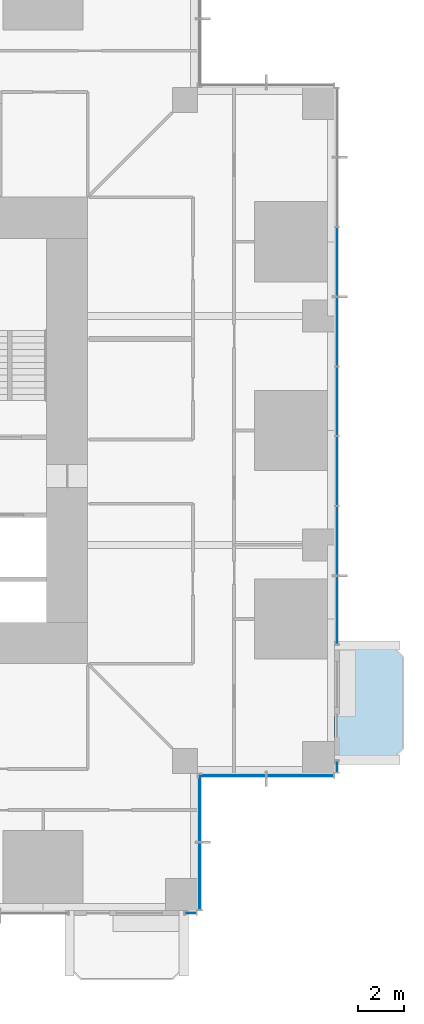
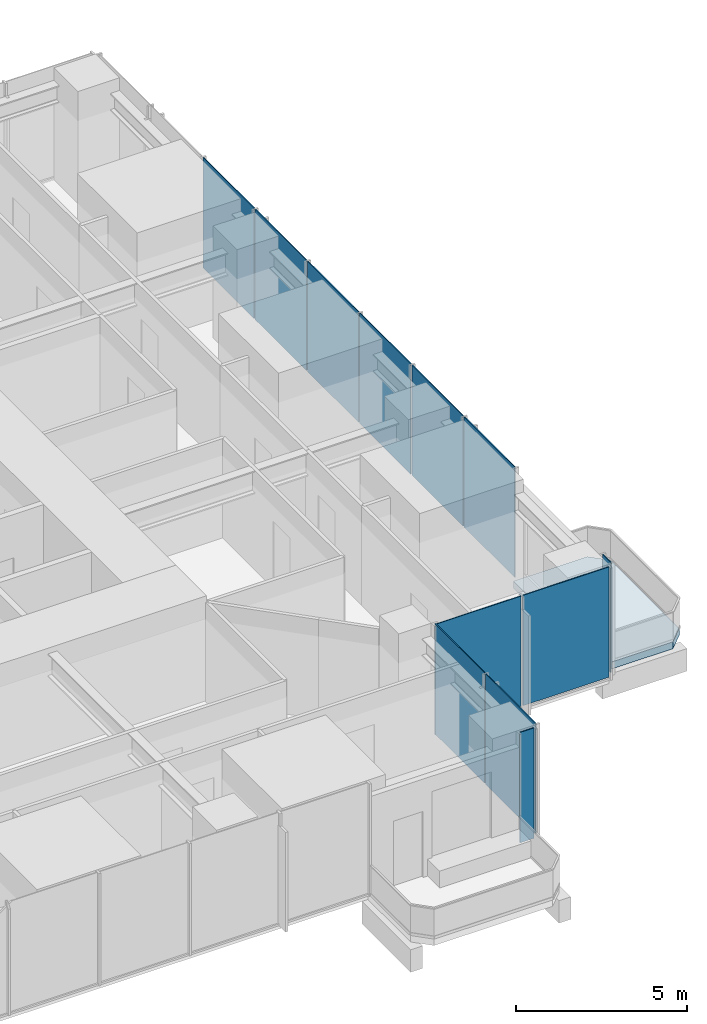
# One storey, part 8 of 17: 12 plates, 1 slab, 5 elements without a shape of their own.
"""IFC4 building model written with IfcOpenShell, lengths in metres."""

from ifc_helpers import new_model, si_unit, direction, frame, origin, origin_2d, place, context, subcontext, project, spatial, polyline, rectangle, outline, extrude, material, layer, layer_set, type_object, element, aggregate, save


model = new_model("IFC4")

# Units and contexts
model_context = context("Model", 3, precision=1e-05, world=origin(), true_north=direction((0.0, 1.0)))
body_context = subcontext(model_context, "Body", "Model", "MODEL_VIEW")
ifc_project = project(units=[si_unit("LENGTHUNIT", "METRE"), si_unit("AREAUNIT", "SQUARE_METRE"), si_unit("VOLUMEUNIT", "CUBIC_METRE"), si_unit("PLANEANGLEUNIT", "RADIAN"), si_unit("MASSUNIT", "GRAM", prefix="KILO")], contexts=[model_context])

# Site, building, storey
site_placement = place(None, origin())
site = spatial("IfcSite", under=ifc_project, at=site_placement, CompositionType="ELEMENT")
building_placement = place(site_placement, origin())
building = spatial("IfcBuilding", under=site, at=building_placement, Name="Svetlomir Tower", CompositionType="ELEMENT")
storey_placement = place(building_placement, frame((0.0, 0.0, 82.5)))
storey = spatial("IfcBuildingStorey", under=building, at=storey_placement, Name="L19", CompositionType="ELEMENT", Elevation=82.5)

# Slab
ifc_material_1 = material(Name="Concrete C60/75", Category="concrete")
ifc_layer_1 = layer(ifc_material_1, 0.25)
ifc_layer_set_1 = layer_set([ifc_layer_1], Name="Concrete C60/75")
slab_type = type_object("IfcSlabType", Name="BALCONY SLAB 250", PredefinedType="FLOOR", material=ifc_layer_set_1)
slab_placement = place(storey_placement, frame((0.0, 0.0, -0.25)))
element("IfcSlab", 1, at=slab_placement, inside=storey, type_object=slab_type, Name="L19 E planted balcony", PredefinedType="FLOOR", context=body_context, shape_type="SweptSolid", body=[
    extrude(outline(polyline([(42.0, 6.60009765625), (44.5, 6.60009765625), (45.0, 7.10009765625), (45.0, 11.10009765625), (44.5, 11.60009765625), (42.0, 11.60009765625), (42.0, 6.60009765625)])), origin(), (0.0, 0.0, 1.0), 0.25),
])

# Curtain wall, plate
ifc_material_2 = material(Name="Bronze anodised aluminium curtain wall", Category="aluminium")
curtain_wall_type = type_object("IfcCurtainWallType", Name="CURTAIN WALL CW1 TOWER OFFICE", PredefinedType="NOTDEFINED", material=ifc_material_2)
curtain_wall_1_placement = place(storey_placement, origin())
curtain_wall_1 = element("IfcCurtainWall", 2, at=curtain_wall_1_placement, inside=storey, type_object=curtain_wall_type, Name="Curtain wall CW1 L19", PredefinedType="NOTDEFINED")
ifc_material_3 = material(Name="Tinted double glazed unit", Category="glass")
ifc_layer_2 = layer(ifc_material_3, 0.031982421875)
ifc_layer_set_2 = layer_set([ifc_layer_2], Name="Tinted double glazed unit")
plate_type = type_object("IfcPlateType", Name="CW1 GLAZED PANEL 32", PredefinedType="CURTAIN_PANEL", material=ifc_layer_set_2)
plate_1_placement = place(storey_placement, frame((35.699951171875, -0.10009765625, 0.06494140625), z_axis=(0.0, 0.0, 1.0), x_axis=(1.0, 0.0, 0.0)))
plate_1 = element("IfcPlate", 3, at=plate_1_placement, type_object=plate_type, Name="CW1 panel 1.1", PredefinedType="CURTAIN_PANEL", context=body_context, shape_type="SweptSolid", body=[
    extrude(rectangle(XDim=0.469970703125, YDim=0.031982421875, at=origin_2d()), origin(), (0.0, 0.0, 1.0), 3.93505859375),
])
aggregate(curtain_wall_1, [plate_1])

# Curtain wall, plates
curtain_wall_2_placement = place(storey_placement, origin())
curtain_wall_2 = element("IfcCurtainWall", 4, at=curtain_wall_2_placement, inside=storey, type_object=curtain_wall_type, Name="Curtain wall CW1 L19", PredefinedType="NOTDEFINED")
plate_2_placement = place(storey_placement, frame((36.10009765625, 1.516357421875, 0.06494140625), z_axis=(0.0, 0.0, 1.0), x_axis=(0.0, 1.0, 0.0)))
plate_2 = element("IfcPlate", 5, at=plate_2_placement, type_object=plate_type, Name="CW1 panel 1.1", PredefinedType="CURTAIN_PANEL", context=body_context, shape_type="SweptSolid", body=[
    extrude(rectangle(XDim=2.902587890625, YDim=0.031982421875, at=origin_2d()), origin(), (0.0, 0.0, 1.0), 3.93505859375),
])
plate_3_placement = place(storey_placement, frame((36.10009765625, 4.483642578125, 0.06494140625), z_axis=(0.0, 0.0, 1.0), x_axis=(0.0, 1.0, 0.0)))
plate_3 = element("IfcPlate", 6, at=plate_3_placement, type_object=plate_type, Name="CW1 panel 2.1", PredefinedType="CURTAIN_PANEL", context=body_context, shape_type="SweptSolid", body=[
    extrude(rectangle(XDim=2.902587890625, YDim=0.031982421875, at=origin_2d()), origin(), (0.0, 0.0, 1.0), 3.93505859375),
])
aggregate(curtain_wall_2, [plate_2, plate_3])

curtain_wall_3_placement = place(storey_placement, origin())
curtain_wall_3 = element("IfcCurtainWall", 7, at=curtain_wall_3_placement, inside=storey, type_object=curtain_wall_type, Name="Curtain wall CW1 L19", PredefinedType="NOTDEFINED")
plate_4_placement = place(storey_placement, frame((37.516357421875, 5.89990234375, 0.06494140625), z_axis=(0.0, 0.0, 1.0), x_axis=(1.0, 0.0, 0.0)))
plate_4 = element("IfcPlate", 8, at=plate_4_placement, type_object=plate_type, Name="CW1 panel 1.1", PredefinedType="CURTAIN_PANEL", context=body_context, shape_type="SweptSolid", body=[
    extrude(rectangle(XDim=2.902587890625, YDim=0.031982421875, at=origin_2d()), origin(), (0.0, 0.0, 1.0), 3.93505859375),
])
plate_5_placement = place(storey_placement, frame((40.483642578125, 5.89990234375, 0.06494140625), z_axis=(0.0, 0.0, 1.0), x_axis=(1.0, 0.0, 0.0)))
plate_5 = element("IfcPlate", 9, at=plate_5_placement, type_object=plate_type, Name="CW1 panel 2.1", PredefinedType="CURTAIN_PANEL", context=body_context, shape_type="SweptSolid", body=[
    extrude(rectangle(XDim=2.902587890625, YDim=0.031982421875, at=origin_2d()), origin(), (0.0, 0.0, 1.0), 3.93505859375),
])
aggregate(curtain_wall_3, [plate_4, plate_5])

# Curtain wall, plate
curtain_wall_4_placement = place(storey_placement, origin())
curtain_wall_4 = element("IfcCurtainWall", 10, at=curtain_wall_4_placement, inside=storey, type_object=curtain_wall_type, Name="Curtain wall CW1 L19", PredefinedType="NOTDEFINED")
plate_6_placement = place(storey_placement, frame((42.10009765625, 6.300048828125, 0.06494140625), z_axis=(0.0, 0.0, 1.0), x_axis=(0.0, 1.0, 0.0)))
plate_6 = element("IfcPlate", 11, at=plate_6_placement, type_object=plate_type, Name="CW1 panel 1.1", PredefinedType="CURTAIN_PANEL", context=body_context, shape_type="SweptSolid", body=[
    extrude(rectangle(XDim=0.469970703125, YDim=0.031982421875, at=origin_2d()), origin(), (0.0, 0.0, 1.0), 3.93505859375),
])
aggregate(curtain_wall_4, [plate_6])

# Curtain wall, plates
curtain_wall_5_placement = place(storey_placement, origin())
curtain_wall_5 = element("IfcCurtainWall", 12, at=curtain_wall_5_placement, inside=storey, type_object=curtain_wall_type, Name="Curtain wall CW1 L19", PredefinedType="NOTDEFINED")
plate_7_placement = place(storey_placement, frame((42.10009765625, 13.141357421875, 0.06494140625), z_axis=(0.0, 0.0, 1.0), x_axis=(0.0, 1.0, 0.0)))
plate_7 = element("IfcPlate", 13, at=plate_7_placement, type_object=plate_type, Name="CW1 panel 1.1", PredefinedType="CURTAIN_PANEL", context=body_context, shape_type="SweptSolid", body=[
    extrude(rectangle(XDim=2.952392578125, YDim=0.031982421875, at=origin_2d()), origin(), (0.0, 0.0, 1.0), 3.93505859375),
])
plate_8_placement = place(storey_placement, frame((42.10009765625, 16.175048828125, 0.06494140625), z_axis=(0.0, 0.0, 1.0), x_axis=(0.0, 1.0, 0.0)))
plate_8 = element("IfcPlate", 14, at=plate_8_placement, type_object=plate_type, Name="CW1 panel 2.1", PredefinedType="CURTAIN_PANEL", context=body_context, shape_type="SweptSolid", body=[
    extrude(rectangle(XDim=2.985107421875, YDim=0.031982421875, at=origin_2d()), origin(), (0.0, 0.0, 1.0), 3.93505859375),
])
plate_9_placement = place(storey_placement, frame((42.10009765625, 19.22509765625, 0.06494140625), z_axis=(0.0, 0.0, 1.0), x_axis=(0.0, 1.0, 0.0)))
plate_9 = element("IfcPlate", 15, at=plate_9_placement, type_object=plate_type, Name="CW1 panel 3.1", PredefinedType="CURTAIN_PANEL", context=body_context, shape_type="SweptSolid", body=[
    extrude(rectangle(XDim=2.985107421875, YDim=0.031982421875, at=origin_2d()), origin(), (0.0, 0.0, 1.0), 3.93505859375),
])
plate_10_placement = place(storey_placement, frame((42.10009765625, 22.27490234375, 0.06494140625), z_axis=(0.0, 0.0, 1.0), x_axis=(0.0, 1.0, 0.0)))
plate_10 = element("IfcPlate", 16, at=plate_10_placement, type_object=plate_type, Name="CW1 panel 4.1", PredefinedType="CURTAIN_PANEL", context=body_context, shape_type="SweptSolid", body=[
    extrude(rectangle(XDim=2.985107421875, YDim=0.031982421875, at=origin_2d()), origin(), (0.0, 0.0, 1.0), 3.93505859375),
])
plate_11_placement = place(storey_placement, frame((42.10009765625, 25.324951171875, 0.06494140625), z_axis=(0.0, 0.0, 1.0), x_axis=(0.0, 1.0, 0.0)))
plate_11 = element("IfcPlate", 17, at=plate_11_placement, type_object=plate_type, Name="CW1 panel 5.1", PredefinedType="CURTAIN_PANEL", context=body_context, shape_type="SweptSolid", body=[
    extrude(rectangle(XDim=2.985107421875, YDim=0.031982421875, at=origin_2d()), origin(), (0.0, 0.0, 1.0), 3.93505859375),
])
plate_12_placement = place(storey_placement, frame((42.10009765625, 28.375, 0.06494140625), z_axis=(0.0, 0.0, 1.0), x_axis=(0.0, 1.0, 0.0)))
plate_12 = element("IfcPlate", 18, at=plate_12_placement, type_object=plate_type, Name="CW1 panel 6.1", PredefinedType="CURTAIN_PANEL", context=body_context, shape_type="SweptSolid", body=[
    extrude(rectangle(XDim=2.985107421875, YDim=0.031982421875, at=origin_2d()), origin(), (0.0, 0.0, 1.0), 3.93505859375),
])
aggregate(curtain_wall_5, [plate_7, plate_8, plate_9, plate_10, plate_11, plate_12])

save(model, "model.ifc")
